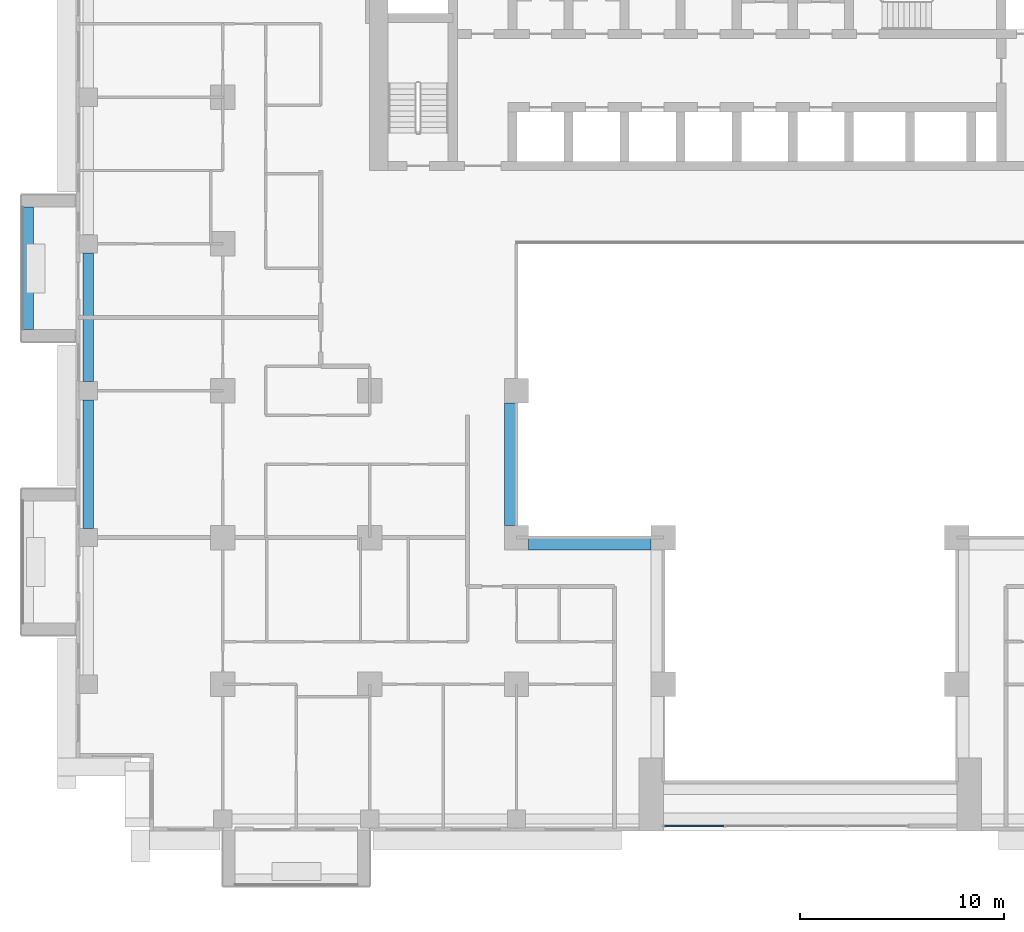
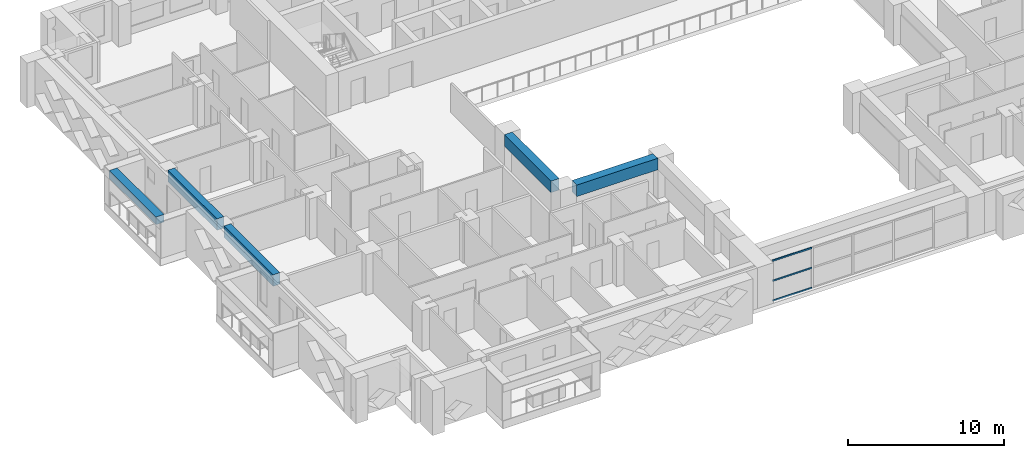
# One storey, part 3 of 17: 5 beams, 3 members, 1 element without a shape of its own.
"""IFC4 building model written with IfcOpenShell, lengths in metres."""

from ifc_helpers import new_model, si_unit, direction, frame, origin, origin_2d, place, context, subcontext, project, spatial, rectangle, extrude, source, transform, mapped, material, layer, layer_set, material_profile, profile_set, type_object, element, aggregate, save


model = new_model("IFC4")

# Units and contexts
model_context = context("Model", 3, precision=1e-05, world=origin(), true_north=direction((0.0, 1.0)))
body_context = subcontext(model_context, "Body", "Model", "MODEL_VIEW")
ifc_project = project(units=[si_unit("LENGTHUNIT", "METRE"), si_unit("AREAUNIT", "SQUARE_METRE"), si_unit("VOLUMEUNIT", "CUBIC_METRE"), si_unit("PLANEANGLEUNIT", "RADIAN"), si_unit("MASSUNIT", "GRAM", prefix="KILO")], contexts=[model_context])

# Site, building, storey
site_placement = place(None, origin())
site = spatial("IfcSite", under=ifc_project, at=site_placement, CompositionType="ELEMENT")
building_placement = place(site_placement, origin())
building = spatial("IfcBuilding", under=site, at=building_placement, Name="Saffron Iwan Residences", CompositionType="ELEMENT")
storey_placement = place(building_placement, frame((0.0, 0.0, 93.5)))
storey = spatial("IfcBuildingStorey", under=building, at=storey_placement, Name="L24", CompositionType="ELEMENT", Elevation=93.5)

# Beams
ifc_material_1 = material(Name="Concrete C60/75", Category="concrete")
ifc_material_profile_1 = material_profile(ifc_material_1, rectangle(XDim=0.5, YDim=0.89990234375, at=origin_2d()), Name="RC 500x900")
ifc_profile_set_1 = profile_set([ifc_material_profile_1], Name="Concrete C60/75")
beam_type_1 = type_object("IfcBeamType", Name="SPANDREL BEAM RC 500x900 C60/75 TOP 3180", PredefinedType="SPANDREL", material=ifc_profile_set_1)
shared_shape_1 = source(origin(), body_context, "Body", "SweptSolid", [
    extrude(rectangle(XDim=0.5, YDim=0.89990234375, at=origin_2d()), origin(), (0.0, 0.0, 1.0), 6.300048828125),
])
for number, where, z_axis, x_axis, name in (
    (1, (15.0, 48.449951171875, 2.72998046875), (0.0, 1.0, 0.0), (-1.0, 0.0, 0.0), "Spandrel beam"),
    (2, (15.0, 55.64990234375, 2.72998046875), (0.0, 1.0, 0.0), (-1.0, 0.0, 0.0), "Spandrel beam"),
):
    element("IfcBeam", number, at=place(storey_placement, frame(where, z_axis=z_axis, x_axis=x_axis)), inside=storey, type_object=beam_type_1, Name=name, PredefinedType="SPANDREL", context=body_context, shape_type="MappedRepresentation", body=[
        mapped(shared_shape_1, transform((0.0, 0.0, 0.0))),
    ])
ifc_material_profile_2 = material_profile(ifc_material_1, rectangle(XDim=0.60009765625, YDim=0.89990234375, at=origin_2d()), Name="RC 600x900")
ifc_profile_set_2 = profile_set([ifc_material_profile_2], Name="Concrete C60/75")
beam_type_2 = type_object("IfcBeamType", Name="BEAM RC 600x900 C60/75 TOP 3180", PredefinedType="BEAM", material=ifc_profile_set_2)
shared_shape_2 = source(origin(), body_context, "Body", "SweptSolid", [
    extrude(rectangle(XDim=0.60009765625, YDim=0.89990234375, at=origin_2d()), origin(), (0.0, 0.0, 1.0), 6.0),
])
for number, where, z_axis, x_axis, name in (
    (3, (42.60009765625, 47.699951171875, 2.72998046875), (-1.0, 0.0, 0.0), (0.0, -1.0, 0.0), "Atrium edge beam"),
    (4, (35.699951171875, 48.60009765625, 2.72998046875), (0.0, 1.0, 0.0), (-1.0, 0.0, 0.0), "Atrium edge beam"),
):
    element("IfcBeam", number, at=place(storey_placement, frame(where, z_axis=z_axis, x_axis=x_axis)), inside=storey, type_object=beam_type_2, Name=name, PredefinedType="BEAM", context=body_context, shape_type="MappedRepresentation", body=[
        mapped(shared_shape_2, transform((0.0, 0.0, 0.0))),
    ])

# Curtain wall, members
ifc_material_2 = material(Name="Clear glass, laminated double glazed", Category="glass")
ifc_layer = layer(ifc_material_2, 0.199951171875)
ifc_layer_set = layer_set([ifc_layer], Name="Clear glass, laminated double glazed")
curtain_wall_type = type_object("IfcCurtainWallType", Name="CW-B IWAN PORTAL", PredefinedType="NOTDEFINED", material=ifc_layer_set)
curtain_wall_placement = place(storey_placement, origin())
curtain_wall = element("IfcCurtainWall", 5, at=curtain_wall_placement, inside=storey, type_object=curtain_wall_type, Name="Iwan portal glazing L24.1", PredefinedType="NOTDEFINED")
ifc_material_3 = material(Name="Aluminium 6063-T6", Category="aluminium")
ifc_material_profile_3 = material_profile(ifc_material_3, rectangle(XDim=0.06005859375, YDim=0.1201171875, at=origin_2d()), Name="CW-B TRANSOM 60 x 120")
ifc_profile_set_3 = profile_set([ifc_material_profile_3], Name="Aluminium 6063-T6")
member_type = type_object("IfcMemberType", Name="CW-B TRANSOM 60 x 120", PredefinedType="USERDEFINED", material=ifc_profile_set_3)
shared_shape_3 = source(origin(), body_context, "Body", "SweptSolid", [
    extrude(rectangle(XDim=0.06005859375, YDim=0.1201171875, at=origin_2d()), origin(), (0.0, 0.0, 1.0), 2.909912109375),
])
member_1_placement = place(storey_placement, frame((43.260009765625, 33.85009765625, 0.030029296875), z_axis=(1.0, 0.0, 0.0), x_axis=(0.0, 1.0, 0.0)))
member_1 = element("IfcMember", 6, at=member_1_placement, type_object=member_type, Name="CW-B transom 1.1", ObjectType="TRANSOM", PredefinedType="USERDEFINED", context=body_context, shape_type="MappedRepresentation", body=[
    mapped(shared_shape_3, transform((0.0, 0.0, 0.0))),
])
member_2_placement = place(storey_placement, frame((43.260009765625, 33.85009765625, 1.590087890625), z_axis=(1.0, 0.0, 0.0), x_axis=(0.0, 1.0, 0.0)))
member_2 = element("IfcMember", 7, at=member_2_placement, type_object=member_type, Name="CW-B transom 1.2", ObjectType="TRANSOM", PredefinedType="USERDEFINED", context=body_context, shape_type="MappedRepresentation", body=[
    mapped(shared_shape_3, transform((0.0, 0.0, 0.0))),
])
member_3_placement = place(storey_placement, frame((43.260009765625, 33.85009765625, 3.14990234375), z_axis=(1.0, 0.0, 0.0), x_axis=(0.0, 1.0, 0.0)))
member_3 = element("IfcMember", 8, at=member_3_placement, type_object=member_type, Name="CW-B transom 1.3", ObjectType="TRANSOM", PredefinedType="USERDEFINED", context=body_context, shape_type="MappedRepresentation", body=[
    mapped(shared_shape_3, transform((0.0, 0.0, 0.0))),
])
aggregate(curtain_wall, [member_1, member_2, member_3])

# Beam
ifc_material_4 = material(Name="Concrete C50/60 white painted", Category="concrete")
ifc_material_profile_4 = material_profile(ifc_material_4, rectangle(XDim=0.60009765625, YDim=0.60009765625, at=origin_2d()), Name="BALCONY FASCIA BEAM 600 x 600")
ifc_profile_set_4 = profile_set([ifc_material_profile_4], Name="Concrete C50/60 white painted")
beam_type_3 = type_object("IfcBeamType", Name="BALCONY FASCIA BEAM 600 x 600", PredefinedType="BEAM", material=ifc_profile_set_4)
shared_shape_4 = source(origin(), body_context, "Body", "SweptSolid", [
    extrude(rectangle(XDim=0.60009765625, YDim=0.60009765625, at=origin_2d()), origin(), (0.0, 0.0, 1.0), 6.0),
])
beam_placement = place(storey_placement, frame((12.0, 64.199951171875, 2.550048828125), z_axis=(0.0, -1.0, 0.0), x_axis=(1.0, 0.0, 0.0)))
element("IfcBeam", 9, at=beam_placement, inside=storey, type_object=beam_type_3, Name="Balcony fascia beam L24 F8-0", PredefinedType="BEAM", context=body_context, shape_type="MappedRepresentation", body=[
    mapped(shared_shape_4, transform((0.0, 0.0, 0.0))),
])

save(model, "model.ifc")
